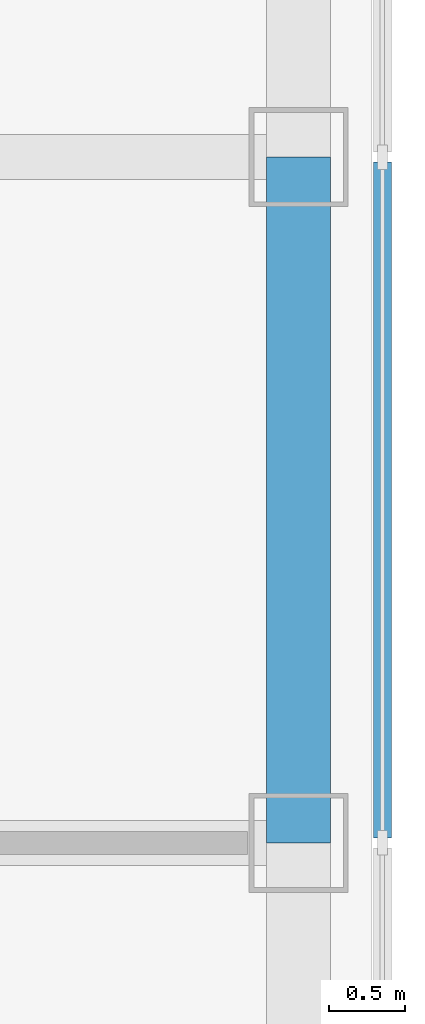
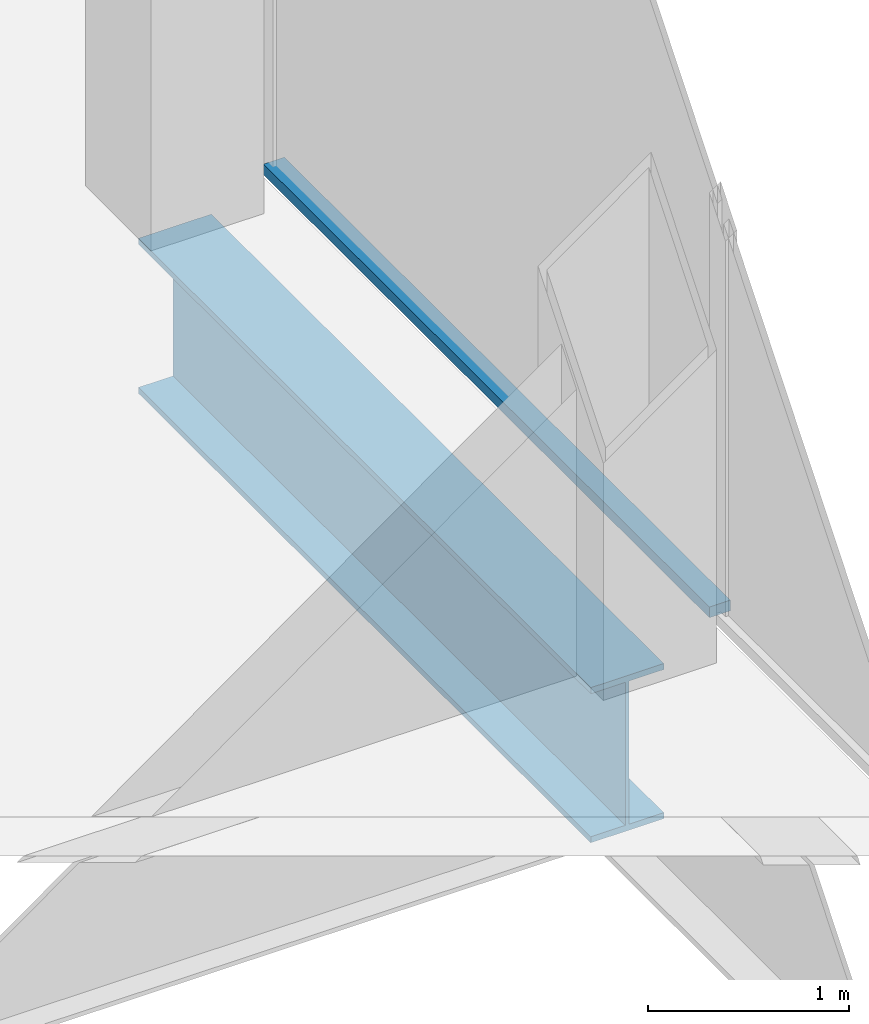
# One storey, part 5 of 13: 1 beam, 1 member, 1 element without a shape of its own.
"""IFC4 building model written with IfcOpenShell, lengths in metres."""

import ifcopenshell
import ifcopenshell.guid

model = None  # the IFC model being written
_history = None  # IfcOwnerHistory: only IFC2X3 demands one
_inside = {}  # id of a spatial element -> (the spatial element, [elements in it])
_under = {}  # id of a project, library or spatial element -> (it, [spatial elements below it])
_declared = {}  # id of a project -> (the project, [libraries it declares])
_typed = {}  # id of a type object -> (the type object, [elements of that type])
_made_of = {}  # id of a material, layer set ... -> (it, [elements and type objects made of it])


def new_model(schema):
    """Start an empty IFC model of exactly this schema.

    Asked for "IFC4X3", IfcOpenShell would pick the latest addendum, in which some entities
    have other attributes; the version numbers below select the first issue.
    IFC2X3 requires an IfcOwnerHistory on every rooted entity: one is made here for all.
    """
    global model, _history
    if schema == "IFC4X3":
        model = ifcopenshell.file(schema_version=(4, 3, 0, 0))
    else:
        model = ifcopenshell.file(schema=schema)
    _inside.clear()
    _under.clear()
    _declared.clear()
    _typed.clear()
    _made_of.clear()
    _history = None
    if model.schema == "IFC2X3":
        org = make("IfcOrganization", Name="unknown")
        user = make(
            "IfcPersonAndOrganization",
            ThePerson=make("IfcPerson", FamilyName="unknown"),
            TheOrganization=org,
        )
        app = make(
            "IfcApplication",
            ApplicationDeveloper=org,
            Version="unknown",
            ApplicationFullName="unknown",
            ApplicationIdentifier="unknown",
        )
        _history = make(
            "IfcOwnerHistory",
            OwningUser=user,
            OwningApplication=app,
            ChangeAction="ADDED",
            CreationDate=0,
        )
    return model


def make(cls, **values):
    """One entity of the class cls with the attributes given. An attribute that is None is left unset."""
    return model.create_entity(
        cls, **{name: value for name, value in values.items() if value is not None}
    )


def rooted(cls, **values):
    """An entity with a GlobalId (a new one), such as an element, a storey or a relation."""
    return make(cls, GlobalId=ifcopenshell.guid.new(), OwnerHistory=_history, **values)


def si_unit(unit_type, name, prefix=None):
    """IfcSIUnit, for example si_unit("LENGTHUNIT", "METRE", prefix="MILLI")."""
    return make("IfcSIUnit", UnitType=unit_type, Prefix=prefix, Name=name)


def assignment(units):
    """IfcUnitAssignment: the units of a project."""
    return None if units is None else make("IfcUnitAssignment", Units=units)


def point(xyz):
    """IfcCartesianPoint."""
    return None if xyz is None else make("IfcCartesianPoint", Coordinates=xyz)


def direction(xyz):
    """IfcDirection."""
    return None if xyz is None else make("IfcDirection", DirectionRatios=xyz)


def frame(location, z_axis=None, x_axis=None):
    """IfcAxis2Placement3D, a coordinate frame: its origin and axes. An axis left out is left unset."""
    return make(
        "IfcAxis2Placement3D",
        Location=point(location),
        Axis=direction(z_axis),
        RefDirection=direction(x_axis),
    )


def frame_2d(location, x_axis=None):
    """IfcAxis2Placement2D, a coordinate frame in the plane: its origin and x axis."""
    return make(
        "IfcAxis2Placement2D", Location=point(location), RefDirection=direction(x_axis)
    )


def origin():
    """The frame at (0, 0, 0) with its axes left unset."""
    return frame((0.0, 0.0, 0.0))


def origin_2d():
    """The frame at (0, 0) in the plane with its x axis left unset."""
    return frame_2d((0.0, 0.0))


def place(relative_to, where):
    """IfcLocalPlacement: puts the frame where relative to a parent placement (None: the world)."""
    return make(
        "IfcLocalPlacement", PlacementRelTo=relative_to, RelativePlacement=where
    )


def context(
    kind, dimensions, precision=None, world=None, true_north=None, identifier=None
):
    """IfcGeometricRepresentationContext, for example the 3D "Model" context."""
    return make(
        "IfcGeometricRepresentationContext",
        ContextIdentifier=identifier,
        ContextType=kind,
        CoordinateSpaceDimension=dimensions,
        Precision=precision,
        WorldCoordinateSystem=world,
        TrueNorth=true_north,
    )


def subcontext(parent, identifier, kind, view, scale=None):
    """IfcGeometricRepresentationSubContext, for example "Body" below "Model"."""
    return make(
        "IfcGeometricRepresentationSubContext",
        ContextIdentifier=identifier,
        ContextType=kind,
        ParentContext=parent,
        TargetScale=scale,
        TargetView=view,
    )


def project(units=None, contexts=None):
    """IfcProject with its units and contexts."""
    return rooted(
        "IfcProject",
        Name="project",
        RepresentationContexts=contexts,
        UnitsInContext=assignment(units),
    )


def spatial(cls, under=None, at=None, **own):
    """A site, building, storey or space (cls), placed at a placement, below another one or the project."""
    s = rooted(cls, ObjectPlacement=at, **own)
    if under is not None:
        _under.setdefault(under.id(), (under, []))[1].append(s)
    return s


def profile(cls, at=None, kind="AREA", **sizes):
    """A parametric profile (cls). Its sizes go by their IFC names, for example OverallWidth=200.0."""
    return make(cls, ProfileType=kind, Position=at, **sizes)


def rectangle(**sizes):
    """IfcRectangleProfileDef."""
    return profile("IfcRectangleProfileDef", **sizes)


def i_section(**sizes):
    """IfcIShapeProfileDef."""
    return profile("IfcIShapeProfileDef", **sizes)


def extrude(swept, where, along, depth):
    """IfcExtrudedAreaSolid: the profile swept, set in the frame where, extruded along a direction by depth."""
    return make(
        "IfcExtrudedAreaSolid",
        SweptArea=swept,
        Position=where,
        ExtrudedDirection=direction(along),
        Depth=depth,
    )


def shape(context_of_items, identifier, shape_type, items):
    """IfcShapeRepresentation: the items that make up one representation, for example the "Body"."""
    return make(
        "IfcShapeRepresentation",
        ContextOfItems=context_of_items,
        RepresentationIdentifier=identifier,
        RepresentationType=shape_type,
        Items=items,
    )


def material(Name=None, Category=None):
    """IfcMaterial."""
    return make("IfcMaterial", Name=Name, Category=Category)


def material_profile(
    of_material, cross_section, Name=None, Category=None, Priority=None
):
    """IfcMaterialProfile: a cross section and its material."""
    return make(
        "IfcMaterialProfile",
        Name=Name,
        Material=of_material,
        Profile=cross_section,
        Priority=Priority,
        Category=Category,
    )


def profile_set(profiles, Name=None, composite=None):
    """IfcMaterialProfileSet."""
    return make(
        "IfcMaterialProfileSet",
        Name=Name,
        MaterialProfiles=profiles,
        CompositeProfile=composite,
    )


def made_of(thing, what):
    """Note that an element or type object is made of a material, layer set ...; save() writes the relation."""
    if what is not None:
        _made_of.setdefault(what.id(), (what, []))[1].append(thing)
    return thing


def type_object(cls, material=None, **own):
    """A type object (cls), such as IfcWallType, which elements share."""
    return made_of(rooted(cls, **own), material)


def element(
    cls,
    number,
    at=None,
    inside=None,
    cuts=None,
    type_object=None,
    material=None,
    context=None,
    identifier="Body",
    shape_type=None,
    held_by="IfcProductDefinitionShape",
    body=None,
    shapes=None,
    **own,
):
    """One element of the class cls, such as IfcWall. Its Tag is "e" and its number.

    at: its placement. inside: the storey or other place that contains it. cuts: it is an
    opening in that element (IfcRelVoidsElement). A single representation is given by context,
    identifier, shape_type and body (its items); several are given by shapes. held_by: the class
    of the entity that holds the representations. save() writes the other relations.
    """
    e = rooted(cls, Tag="e%d" % number, ObjectPlacement=at, **own)
    if body is not None:
        shapes = [shape(context, identifier, shape_type, body)]
    if shapes is not None:
        e.Representation = make(held_by, Representations=shapes)
    if inside is not None:
        _inside.setdefault(inside.id(), (inside, []))[1].append(e)
    if cuts is not None:
        rooted(
            "IfcRelVoidsElement", RelatingBuildingElement=cuts, RelatedOpeningElement=e
        )
    if type_object is not None:
        _typed.setdefault(type_object.id(), (type_object, []))[1].append(e)
    return made_of(e, material)


def aggregate(whole, parts):
    """IfcRelAggregates: a whole, such as a stair, and the parts it consists of."""
    return rooted("IfcRelAggregates", RelatingObject=whole, RelatedObjects=parts)


def save(model, path):
    """Write the relations noted so far, then the file.

    IfcRelAggregates (storeys below a building ...), IfcRelContainedInSpatialStructure (elements
    in a storey), IfcRelDefinesByType, IfcRelAssociatesMaterial and IfcRelDeclares: one each for
    every whole, place, type object, material and project.
    """
    for whole, parts in _under.values():
        aggregate(whole, parts)
    for where, things in _inside.values():
        rooted(
            "IfcRelContainedInSpatialStructure",
            RelatedElements=things,
            RelatingStructure=where,
        )
    for kind, things in _typed.values():
        rooted("IfcRelDefinesByType", RelatedObjects=things, RelatingType=kind)
    for what, things in _made_of.values():
        rooted("IfcRelAssociatesMaterial", RelatedObjects=things, RelatingMaterial=what)
    for by, libraries in _declared.values():
        rooted("IfcRelDeclares", RelatingContext=by, RelatedDefinitions=libraries)
    model.write(path)


model = new_model("IFC4")

# Units and contexts
model_context = context("Model", 3, precision=1e-05, world=origin(), true_north=direction((0.0, 1.0)))
body_context = subcontext(model_context, "Body", "Model", "MODEL_VIEW")
ifc_project = project(units=[si_unit("LENGTHUNIT", "METRE"), si_unit("AREAUNIT", "SQUARE_METRE"), si_unit("VOLUMEUNIT", "CUBIC_METRE"), si_unit("PLANEANGLEUNIT", "RADIAN"), si_unit("MASSUNIT", "GRAM", prefix="KILO")], contexts=[model_context])

# Site, building, storey
site_placement = place(None, origin())
site = spatial("IfcSite", under=ifc_project, at=site_placement, CompositionType="ELEMENT")
building_placement = place(site_placement, origin())
building = spatial("IfcBuilding", under=site, at=building_placement, Name="Corais Broadcast Tower", CompositionType="ELEMENT")
storey_placement = place(building_placement, frame((0.0, 0.0, 210.60009765625)))
storey = spatial("IfcBuildingStorey", under=building, at=storey_placement, Name="L48", CompositionType="ELEMENT", Elevation=210.60009765625)

# Beam
ifc_material_1 = material(Name="Steel ASTM A572 Grade 50", Category="steel")
ifc_material_profile_1 = material_profile(ifc_material_1, i_section(OverallWidth=0.4189453125, OverallDepth=0.94189453125, WebThickness=0.022216796875, FlangeThickness=0.03662109375, at=origin_2d()), Name="W920x345")
ifc_profile_set_1 = profile_set([ifc_material_profile_1], Name="Steel ASTM A572 Grade 50")
beam_type = type_object("IfcBeamType", Name="Transfer spandrel W920x345", PredefinedType="BEAM", material=ifc_profile_set_1)
beam_placement = place(storey_placement, frame((54.0, 27.0, -0.631103515625), z_axis=(0.0, 1.0, 0.0), x_axis=(-1.0, 0.0, 0.0)))
element("IfcBeam", 1, at=beam_placement, inside=storey, type_object=beam_type, Name="SB4 G/15 to H/15", PredefinedType="BEAM", context=body_context, shape_type="SweptSolid", body=[
    extrude(i_section(OverallWidth=0.4189453125, OverallDepth=0.94189453125, WebThickness=0.022216796875, FlangeThickness=0.03662109375, at=origin_2d()), origin(), (0.0, 0.0, 1.0), 4.5),
])

# Curtain wall, member
ifc_material_2 = material(Name="Aluminium and glass", Category="aluminium")
curtain_wall_type = type_object("IfcCurtainWallType", Name="Unitised fritted curtain wall CW3", PredefinedType="NOTDEFINED", material=ifc_material_2)
curtain_wall_placement = place(storey_placement, origin())
curtain_wall = element("IfcCurtainWall", 2, at=curtain_wall_placement, inside=storey, type_object=curtain_wall_type, Name="CW3 curtain wall L48 6", PredefinedType="NOTDEFINED")
ifc_material_3 = material(Name="Aluminium 6063-T6", Category="aluminium")
ifc_material_profile_2 = material_profile(ifc_material_3, rectangle(XDim=0.1201171875, YDim=0.06494140625, at=origin_2d()), Name="Transom CW3 65x120")
ifc_profile_set_2 = profile_set([ifc_material_profile_2], Name="Aluminium 6063-T6")
member_type = type_object("IfcMemberType", Name="Transom CW3 65x120", PredefinedType="USERDEFINED", material=ifc_profile_set_2)
member_placement = place(storey_placement, frame((54.550048828125, 31.467529296875, 0.032470703125), z_axis=(0.0, -1.0, 0.0), x_axis=(1.0, 0.0, 0.0)))
member = element("IfcMember", 3, at=member_placement, type_object=member_type, Name="CW3 transom 3.1", ObjectType="TRANSOM", PredefinedType="USERDEFINED", context=body_context, shape_type="SweptSolid", body=[
    extrude(rectangle(XDim=0.1201171875, YDim=0.06494140625, at=origin_2d()), origin(), (0.0, 0.0, 1.0), 4.43505859375),
])
aggregate(curtain_wall, [member])

save(model, "model.ifc")
